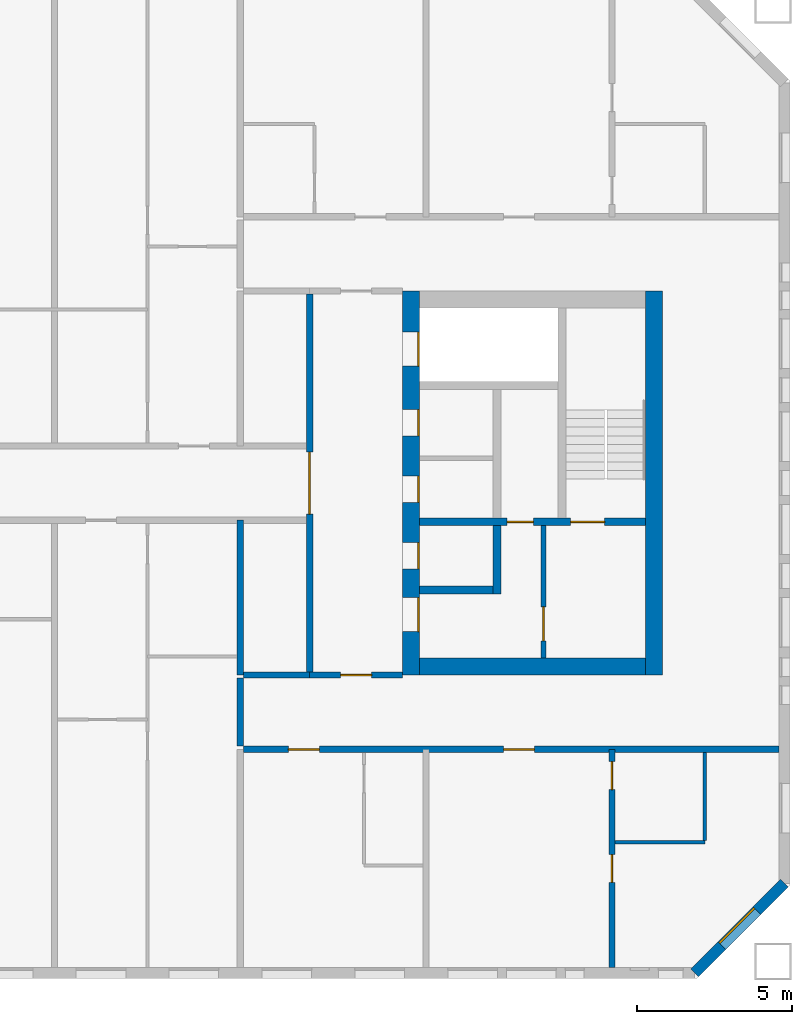
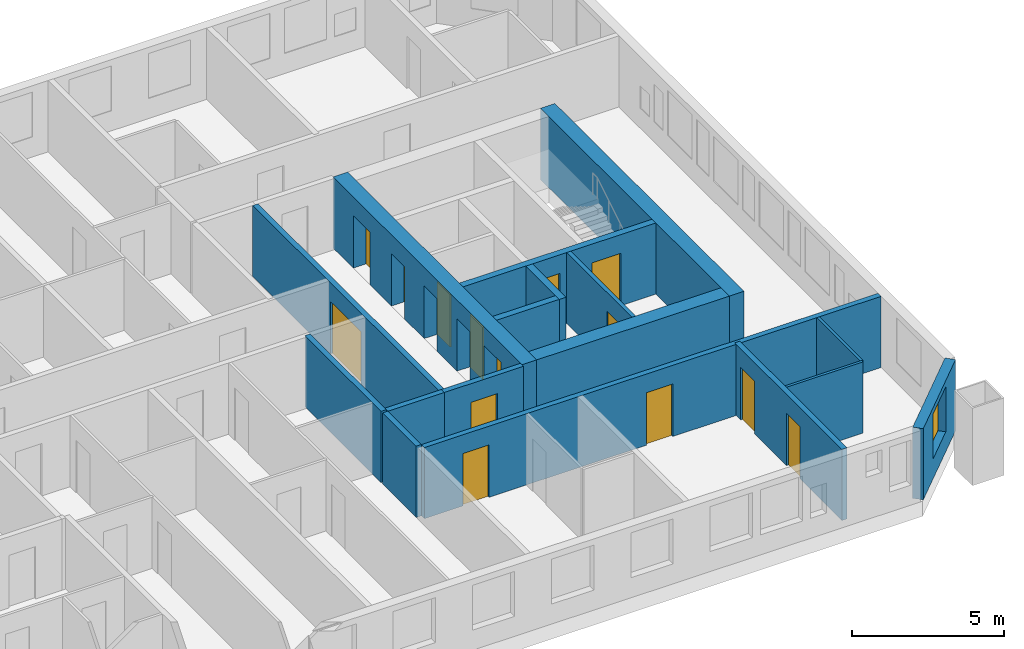
# One storey, part 13 of 17: 17 walls, 14 doors, 1 window, 15 openings.
"""IFC4 building model written with IfcOpenShell, lengths in metres."""

from ifc_helpers import new_model, si_unit, direction, frame, frame_2d, origin, place, context, subcontext, project, spatial, rectangle, extrude, material, layer, layer_set, type_object, element, fill, save


model = new_model("IFC4")

# Units and contexts
model_context = context("Model", 3, precision=1e-05, world=origin(), true_north=direction((0.0, 1.0)))
body_context = subcontext(model_context, "Body", "Model", "MODEL_VIEW")
ifc_project = project(units=[si_unit("LENGTHUNIT", "METRE"), si_unit("AREAUNIT", "SQUARE_METRE"), si_unit("VOLUMEUNIT", "CUBIC_METRE"), si_unit("PLANEANGLEUNIT", "RADIAN"), si_unit("MASSUNIT", "GRAM", prefix="KILO")], contexts=[model_context])

# Site, building, storey
site_placement = place(None, origin())
site = spatial("IfcSite", under=ifc_project, at=site_placement, CompositionType="ELEMENT")
building_placement = place(site_placement, origin())
building = spatial("IfcBuilding", under=site, at=building_placement, Name="Tuart Gate Housing", CompositionType="ELEMENT")
storey_placement = place(building_placement, frame((0.0, 0.0, 123.699951171875)))
storey = spatial("IfcBuildingStorey", under=building, at=storey_placement, Name="L34", CompositionType="ELEMENT", Elevation=123.699951171875)

# Wall, opening, window
ifc_material_1 = material(Name="Brick", Category="masonry")
ifc_layer_1 = layer(ifc_material_1, 0.360107421875)
ifc_layer_set_1 = layer_set([ifc_layer_1], Name="Brick pier and spandrel wall 360")
wall_type_1 = type_object("IfcWallType", Name="Brick pier and spandrel wall 360", PredefinedType="STANDARD", material=ifc_layer_set_1)
wall_1_placement = place(storey_placement, frame((169.67529296875, 54.179931640625, 0.0), z_axis=(0.0, 0.0, 1.0), x_axis=(0.707106781187, 0.707106781187, 0.0)))
wall_1 = element("IfcWall", 1, at=wall_1_placement, inside=storey, type_object=wall_type_1, Name="External wall B-SE L34", PredefinedType="STANDARD", context=body_context, shape_type="SweptSolid", body=[
    extrude(rectangle(XDim=4.09375, YDim=0.360107421875, at=frame_2d((2.046875, 0.0))), origin(), (0.0, 0.0, 1.0), 2.85009765625),
])
opening_1_placement = place(wall_1_placement, frame((1.2470703125, 0.0, 0.800048828125)))
opening_1 = element("IfcOpeningElement", 2, at=opening_1_placement, cuts=wall_1, Name="Opening W1", PredefinedType="OPENING", context=body_context, shape_type="SweptSolid", body=[
    extrude(rectangle(XDim=1.60009765625, YDim=1.800048828125, at=frame_2d((0.800048828125, 0.89990234375))), frame((0.0, 0.18994140625, 0.0), z_axis=(0.0, -1.0, 0.0), x_axis=(1.0, 0.0, 0.0)), (0.0, 0.0, 1.0), 0.380126953125),
])
ifc_material_2 = material(Name="Aluminium frame with clear glass", Category="aluminium")
window_type = type_object("IfcWindowType", Name="Punched window 1600 x 1800", PartitioningType="SINGLE_PANEL", PredefinedType="WINDOW", material=ifc_material_2)
window_placement = place(opening_1_placement, origin())
window = element("IfcWindow", 3, at=window_placement, inside=storey, type_object=window_type, Name="Window W1", OverallHeight=1.800048828125, OverallWidth=1.60009765625, PartitioningType="SINGLE_PANEL", PredefinedType="WINDOW", context=body_context, shape_type="SweptSolid", body=[
    extrude(rectangle(XDim=1.60009765625, YDim=1.800048828125, at=frame_2d((0.800048828125, 0.89990234375))), frame((0.0, 0.150146484375, 0.0), z_axis=(0.0, -1.0, 0.0), x_axis=(1.0, 0.0, 0.0)), (0.0, 0.0, 1.0), 0.06005859375),
])
fill(opening_1, window)

# Wall, opening, door
ifc_material_3 = material(Name="Plasterboard partition")
ifc_layer_2 = layer(ifc_material_3, 0.14990234375)
ifc_layer_set_2 = layer_set([ifc_layer_2], Name="Core partition 150")
wall_type_2 = type_object("IfcWallType", Name="Core partition 150", PredefinedType="PARTITIONING", material=ifc_layer_set_2)
wall_2_placement = place(storey_placement, frame((164.7900390625, 68.625, 0.0), z_axis=(0.0, 0.0, 1.0), x_axis=(0.0, -1.0, 0.0)))
wall_2 = element("IfcWall", 4, at=wall_2_placement, inside=storey, type_object=wall_type_2, Name="Core partition BK.7", PredefinedType="PARTITIONING", context=body_context, shape_type="SweptSolid", body=[
    extrude(rectangle(XDim=4.27490234375, YDim=0.14990234375, at=frame_2d((2.137451171875, 0.0))), origin(), (0.0, 0.0, 1.0), 2.85009765625),
])
opening_2_placement = place(wall_2_placement, frame((2.625, 0.0, 0.0)))
opening_2 = element("IfcOpeningElement", 5, at=opening_2_placement, cuts=wall_2, Name="Opening D1384", PredefinedType="OPENING", context=body_context, shape_type="SweptSolid", body=[
    extrude(rectangle(XDim=1.10009765625, YDim=2.10009765625, at=frame_2d((0.550048828125, 1.050048828125))), frame((0.0, 0.0849609375, 0.0), z_axis=(0.0, -1.0, 0.0), x_axis=(1.0, 0.0, 0.0)), (0.0, 0.0, 1.0), 0.169921875),
])
ifc_material_4 = material(Name="Steel fire door", Category="steel")
door_type_1 = type_object("IfcDoorType", Name="Lobby door 1100 x 2100 RH", OperationType="SINGLE_SWING_RIGHT", PredefinedType="DOOR", material=ifc_material_4)
door_1_placement = place(opening_2_placement, origin())
door_1 = element("IfcDoor", 6, at=door_1_placement, inside=storey, type_object=door_type_1, Name="Smoke lobby door BK.KD", OperationType="SINGLE_SWING_RIGHT", OverallHeight=2.10009765625, OverallWidth=1.10009765625, PredefinedType="DOOR", context=body_context, shape_type="SweptSolid", body=[
    extrude(rectangle(XDim=1.10009765625, YDim=2.10009765625, at=frame_2d((0.550048828125, 1.050048828125))), frame((0.0, 0.02490234375, 0.0), z_axis=(0.0, -1.0, 0.0), x_axis=(1.0, 0.0, 0.0)), (0.0, 0.0, 1.0), 0.050048828125),
])
fill(opening_2, door_1)

# Wall, openings, doors
ifc_material_5 = material(Name="Concrete C50", Category="concrete")
ifc_layer_3 = layer(ifc_material_5, 0.25)
ifc_layer_set_3 = layer_set([ifc_layer_3], Name="Core wall 250 C50")
wall_type_3 = type_object("IfcWallType", Name="Core wall 250 C50", PredefinedType="SHEAR", material=ifc_layer_set_3)
wall_3_placement = place(storey_placement, frame((160.7900390625, 68.75, 0.0), z_axis=(0.0, 0.0, 1.0), x_axis=(1.0, 0.0, 0.0)))
wall_3 = element("IfcWall", 7, at=wall_3_placement, inside=storey, type_object=wall_type_3, Name="Core wall BK.3", PredefinedType="SHEAR", context=body_context, shape_type="SweptSolid", body=[
    extrude(rectangle(XDim=7.300048828125, YDim=0.25, at=frame_2d((3.64990234375, 0.0))), origin(), (0.0, 0.0, 1.0), 2.85009765625),
])
opening_3_placement = place(wall_3_placement, frame((4.875, 0.0, 0.0)))
opening_3 = element("IfcOpeningElement", 8, at=opening_3_placement, cuts=wall_3, Name="Opening D1383", PredefinedType="OPENING", context=body_context, shape_type="SweptSolid", body=[
    extrude(rectangle(XDim=1.10009765625, YDim=2.10009765625, at=frame_2d((0.550048828125, 1.050048828125))), frame((0.0, 0.135009765625, 0.0), z_axis=(0.0, -1.0, 0.0), x_axis=(1.0, 0.0, 0.0)), (0.0, 0.0, 1.0), 0.27001953125),
])
opening_4_placement = place(wall_3_placement, frame((2.824951171875, 0.0, 0.0)))
opening_4 = element("IfcOpeningElement", 9, at=opening_4_placement, cuts=wall_3, Name="Opening D1382", PredefinedType="OPENING", context=body_context, shape_type="SweptSolid", body=[
    extrude(rectangle(XDim=0.85009765625, YDim=2.10009765625, at=frame_2d((0.425048828125, 1.050048828125))), frame((0.0, 0.135009765625, 0.0), z_axis=(0.0, -1.0, 0.0), x_axis=(1.0, 0.0, 0.0)), (0.0, 0.0, 1.0), 0.27001953125),
])
ifc_material_6 = material(Name="Steel fire door", Category="steel")
door_type_2 = type_object("IfcDoorType", Name="Riser door 850 x 2100", OperationType="SINGLE_SWING_LEFT", PredefinedType="DOOR", material=ifc_material_6)
door_2_placement = place(opening_4_placement, origin())
door_2 = element("IfcDoor", 10, at=door_2_placement, inside=storey, type_object=door_type_2, Name="Service room door BK.W1", OperationType="SINGLE_SWING_LEFT", OverallHeight=2.10009765625, OverallWidth=0.85009765625, PredefinedType="DOOR", context=body_context, shape_type="SweptSolid", body=[
    extrude(rectangle(XDim=0.85009765625, YDim=2.10009765625, at=frame_2d((0.425048828125, 1.050048828125))), frame((0.0, 0.02490234375, 0.0), z_axis=(0.0, -1.0, 0.0), x_axis=(1.0, 0.0, 0.0)), (0.0, 0.0, 1.0), 0.050048828125),
])
fill(opening_4, door_2)
ifc_material_7 = material(Name="Steel fire door", Category="steel")
door_type_3 = type_object("IfcDoorType", Name="Stair door 1100 x 2100", OperationType="SINGLE_SWING_LEFT", PredefinedType="DOOR", material=ifc_material_7)
door_3_placement = place(opening_3_placement, origin())
door_3 = element("IfcDoor", 11, at=door_3_placement, inside=storey, type_object=door_type_3, Name="Stair door BK.SD", OperationType="SINGLE_SWING_LEFT", OverallHeight=2.10009765625, OverallWidth=1.10009765625, PredefinedType="DOOR", context=body_context, shape_type="SweptSolid", body=[
    extrude(rectangle(XDim=1.10009765625, YDim=2.10009765625, at=frame_2d((0.550048828125, 1.050048828125))), frame((0.0, 0.02490234375, 0.0), z_axis=(0.0, -1.0, 0.0), x_axis=(1.0, 0.0, 0.0)), (0.0, 0.0, 1.0), 0.050048828125),
])
fill(opening_3, door_3)

# Walls
wall_4_placement = place(storey_placement, frame((160.7900390625, 66.550048828125, 0.0), z_axis=(0.0, 0.0, 1.0), x_axis=(1.0, 0.0, 0.0)))
element("IfcWall", 12, at=wall_4_placement, inside=storey, type_object=wall_type_3, Name="Core wall BK.4", PredefinedType="SHEAR", context=body_context, shape_type="SweptSolid", body=[
    extrude(rectangle(XDim=2.375, YDim=0.25, at=frame_2d((1.1875, 0.0))), origin(), (0.0, 0.0, 1.0), 2.85009765625),
])
wall_5_placement = place(storey_placement, frame((163.2900390625, 68.625, 0.0), z_axis=(0.0, 0.0, 1.0), x_axis=(0.0, -1.0, 0.0)))
element("IfcWall", 13, at=wall_5_placement, inside=storey, type_object=wall_type_3, Name="Core wall BK.6", PredefinedType="SHEAR", context=body_context, shape_type="SweptSolid", body=[
    extrude(rectangle(XDim=2.199951171875, YDim=0.25, at=frame_2d((1.10009765625, 0.0))), origin(), (0.0, 0.0, 1.0), 2.85009765625),
])

# Wall, openings, doors
ifc_material_8 = material(Name="Concrete C50", Category="concrete")
ifc_layer_4 = layer(ifc_material_8, 0.550048828125)
ifc_layer_set_4 = layer_set([ifc_layer_4], Name="Core wall 550 C50")
wall_type_4 = type_object("IfcWallType", Name="Core wall 550 C50", PredefinedType="SHEAR", material=ifc_layer_set_4)
wall_6_placement = place(storey_placement, frame((160.514892578125, 76.199951171875, 0.0), z_axis=(0.0, 0.0, 1.0), x_axis=(0.0, -1.0, 0.0)))
wall_6 = element("IfcWall", 14, at=wall_6_placement, inside=storey, type_object=wall_type_4, Name="Core wall BK front", PredefinedType="SHEAR", context=body_context, shape_type="SweptSolid", body=[
    extrude(rectangle(XDim=12.39990234375, YDim=0.550048828125, at=frame_2d((6.199951171875, 0.0))), origin(), (0.0, 0.0, 1.0), 2.85009765625),
])
opening_5_placement = place(wall_6_placement, frame((1.324951171875, 0.0, 0.0)))
opening_5 = element("IfcOpeningElement", 15, at=opening_5_placement, cuts=wall_6, Name="Opening LD-FB2", PredefinedType="OPENING", context=body_context, shape_type="SweptSolid", body=[
    extrude(rectangle(XDim=1.10009765625, YDim=2.10009765625, at=frame_2d((0.550048828125, 1.050048828125))), frame((0.0, 0.284912109375, 0.0), z_axis=(0.0, -1.0, 0.0), x_axis=(1.0, 0.0, 0.0)), (0.0, 0.0, 1.0), 0.570068359375),
])
opening_6_placement = place(wall_6_placement, frame((3.824951171875, 0.0, 0.0)))
opening_6 = element("IfcOpeningElement", 16, at=opening_6_placement, cuts=wall_6, Name="Opening D1377", PredefinedType="OPENING", context=body_context, shape_type="SweptSolid", body=[
    extrude(rectangle(XDim=0.85009765625, YDim=2.10009765625, at=frame_2d((0.425048828125, 1.050048828125))), frame((0.0, 0.284912109375, 0.0), z_axis=(0.0, -1.0, 0.0), x_axis=(1.0, 0.0, 0.0)), (0.0, 0.0, 1.0), 0.570068359375),
])
opening_7_placement = place(wall_6_placement, frame((5.97509765625, 0.0, 0.0)))
opening_7 = element("IfcOpeningElement", 17, at=opening_7_placement, cuts=wall_6, Name="Opening D1378", PredefinedType="OPENING", context=body_context, shape_type="SweptSolid", body=[
    extrude(rectangle(XDim=0.85009765625, YDim=2.10009765625, at=frame_2d((0.425048828125, 1.050048828125))), frame((0.0, 0.284912109375, 0.0), z_axis=(0.0, -1.0, 0.0), x_axis=(1.0, 0.0, 0.0)), (0.0, 0.0, 1.0), 0.570068359375),
])
opening_8_placement = place(wall_6_placement, frame((9.89990234375, 0.0, 0.0)))
opening_8 = element("IfcOpeningElement", 18, at=opening_8_placement, cuts=wall_6, Name="Opening D1376", PredefinedType="OPENING", context=body_context, shape_type="SweptSolid", body=[
    extrude(rectangle(XDim=1.10009765625, YDim=2.10009765625, at=frame_2d((0.550048828125, 1.050048828125))), frame((0.0, 0.284912109375, 0.0), z_axis=(0.0, -1.0, 0.0), x_axis=(1.0, 0.0, 0.0)), (0.0, 0.0, 1.0), 0.570068359375),
])
opening_9_placement = place(wall_6_placement, frame((8.125, 0.0, 0.0)))
opening_9 = element("IfcOpeningElement", 19, at=opening_9_placement, cuts=wall_6, Name="Opening D1379", PredefinedType="OPENING", context=body_context, shape_type="SweptSolid", body=[
    extrude(rectangle(XDim=0.85009765625, YDim=2.10009765625, at=frame_2d((0.425048828125, 1.050048828125))), frame((0.0, 0.284912109375, 0.0), z_axis=(0.0, -1.0, 0.0), x_axis=(1.0, 0.0, 0.0)), (0.0, 0.0, 1.0), 0.570068359375),
])
ifc_material_9 = material(Name="Stainless steel", Category="steel")
door_type_4 = type_object("IfcDoorType", Name="Landing door 1100 x 2100", OperationType="DOUBLE_DOOR_SLIDING", PredefinedType="DOOR", material=ifc_material_9)
door_4_placement = place(opening_5_placement, origin())
door_4 = element("IfcDoor", 20, at=door_4_placement, inside=storey, type_object=door_type_4, Name="Lift landing door FB2", OperationType="DOUBLE_DOOR_SLIDING", OverallHeight=2.10009765625, OverallWidth=1.10009765625, PredefinedType="DOOR", context=body_context, shape_type="SweptSolid", body=[
    extrude(rectangle(XDim=1.10009765625, YDim=2.10009765625, at=frame_2d((0.550048828125, 1.050048828125))), frame((0.0, 0.26025390625, 0.0), z_axis=(0.0, -1.0, 0.0), x_axis=(1.0, 0.0, 0.0)), (0.0, 0.0, 1.0), 0.050048828125),
])
fill(opening_5, door_4)
ifc_material_10 = material(Name="Steel fire door", Category="steel")
door_type_5 = type_object("IfcDoorType", Name="Lobby door 1100 x 2100", OperationType="SINGLE_SWING_LEFT", PredefinedType="DOOR", material=ifc_material_10)
door_5_placement = place(opening_8_placement, origin())
door_5 = element("IfcDoor", 21, at=door_5_placement, inside=storey, type_object=door_type_5, Name="Lobby entry door BK.EN", OperationType="SINGLE_SWING_LEFT", OverallHeight=2.10009765625, OverallWidth=1.10009765625, PredefinedType="DOOR", context=body_context, shape_type="SweptSolid", body=[
    extrude(rectangle(XDim=1.10009765625, YDim=2.10009765625, at=frame_2d((0.550048828125, 1.050048828125))), frame((0.0, 0.26025390625, 0.0), z_axis=(0.0, -1.0, 0.0), x_axis=(1.0, 0.0, 0.0)), (0.0, 0.0, 1.0), 0.050048828125),
])
fill(opening_8, door_5)
ifc_material_11 = material(Name="Steel fire door", Category="steel")
door_type_6 = type_object("IfcDoorType", Name="Service door 850 x 2100", OperationType="SINGLE_SWING_LEFT", PredefinedType="DOOR", material=ifc_material_11)
door_6_placement = place(opening_6_placement, origin())
door_6 = element("IfcDoor", 22, at=door_6_placement, inside=storey, type_object=door_type_6, Name="Service room door BK.FR1", OperationType="SINGLE_SWING_LEFT", OverallHeight=2.10009765625, OverallWidth=0.85009765625, PredefinedType="DOOR", context=body_context, shape_type="SweptSolid", body=[
    extrude(rectangle(XDim=0.85009765625, YDim=2.10009765625, at=frame_2d((0.425048828125, 1.050048828125))), frame((0.0, 0.26025390625, 0.0), z_axis=(0.0, -1.0, 0.0), x_axis=(1.0, 0.0, 0.0)), (0.0, 0.0, 1.0), 0.050048828125),
])
fill(opening_6, door_6)
door_7_placement = place(opening_7_placement, origin())
door_7 = element("IfcDoor", 23, at=door_7_placement, inside=storey, type_object=door_type_6, Name="Service room door BK.FR2", OperationType="SINGLE_SWING_LEFT", OverallHeight=2.10009765625, OverallWidth=0.85009765625, PredefinedType="DOOR", context=body_context, shape_type="SweptSolid", body=[
    extrude(rectangle(XDim=0.85009765625, YDim=2.10009765625, at=frame_2d((0.425048828125, 1.050048828125))), frame((0.0, 0.26025390625, 0.0), z_axis=(0.0, -1.0, 0.0), x_axis=(1.0, 0.0, 0.0)), (0.0, 0.0, 1.0), 0.050048828125),
])
fill(opening_7, door_7)
door_8_placement = place(opening_9_placement, origin())
door_8 = element("IfcDoor", 24, at=door_8_placement, inside=storey, type_object=door_type_6, Name="Service room door BK.T1", OperationType="SINGLE_SWING_LEFT", OverallHeight=2.10009765625, OverallWidth=0.85009765625, PredefinedType="DOOR", context=body_context, shape_type="SweptSolid", body=[
    extrude(rectangle(XDim=0.85009765625, YDim=2.10009765625, at=frame_2d((0.425048828125, 1.050048828125))), frame((0.0, 0.26025390625, 0.0), z_axis=(0.0, -1.0, 0.0), x_axis=(1.0, 0.0, 0.0)), (0.0, 0.0, 1.0), 0.050048828125),
])
fill(opening_9, door_8)

# Walls
wall_7_placement = place(storey_placement, frame((168.364990234375, 76.199951171875, 0.0), z_axis=(0.0, 0.0, 1.0), x_axis=(0.0, -1.0, 0.0)))
element("IfcWall", 25, at=wall_7_placement, inside=storey, type_object=wall_type_4, Name="Core wall BK back", PredefinedType="SHEAR", context=body_context, shape_type="SweptSolid", body=[
    extrude(rectangle(XDim=12.39990234375, YDim=0.550048828125, at=frame_2d((6.199951171875, 0.0))), origin(), (0.0, 0.0, 1.0), 2.85009765625),
])
wall_8_placement = place(storey_placement, frame((160.7900390625, 64.074951171875, 0.0), z_axis=(0.0, 0.0, 1.0), x_axis=(1.0, 0.0, 0.0)))
element("IfcWall", 26, at=wall_8_placement, inside=storey, type_object=wall_type_4, Name="Core wall BK north", PredefinedType="SHEAR", context=body_context, shape_type="SweptSolid", body=[
    extrude(rectangle(XDim=7.300048828125, YDim=0.550048828125, at=frame_2d((3.64990234375, 0.0))), origin(), (0.0, 0.0, 1.0), 2.85009765625),
])

# Wall, openings, doors
ifc_material_12 = material(Name="Concrete masonry 15 MPa", Category="masonry")
ifc_layer_5 = layer(ifc_material_12, 0.199951171875)
ifc_layer_set_5 = layer_set([ifc_layer_5], Name="Corridor wall masonry 200")
wall_type_5 = type_object("IfcWallType", Name="Corridor wall masonry 200", PredefinedType="PARTITIONING", material=ifc_layer_set_5)
wall_9_placement = place(storey_placement, frame((155.10009765625, 61.39990234375, 0.0), z_axis=(0.0, 0.0, 1.0), x_axis=(1.0, 0.0, 0.0)))
wall_9 = element("IfcWall", 27, at=wall_9_placement, inside=storey, type_object=wall_type_5, Name="Corridor wall masonry 200", PredefinedType="PARTITIONING", context=body_context, shape_type="SweptSolid", body=[
    extrude(rectangle(XDim=17.289794921875, YDim=0.199951171875, at=frame_2d((8.64501953125, 0.0))), origin(), (0.0, 0.0, 1.0), 2.85009765625),
])
opening_10_placement = place(wall_9_placement, frame((1.449951171875, 0.0, 0.0)))
opening_10 = element("IfcOpeningElement", 28, at=opening_10_placement, cuts=wall_9, Name="Opening D1393", PredefinedType="OPENING", context=body_context, shape_type="SweptSolid", body=[
    extrude(rectangle(XDim=1.0, YDim=2.10009765625, at=frame_2d((0.5, 1.050048828125))), frame((0.0, 0.10986328125, 0.0), z_axis=(0.0, -1.0, 0.0), x_axis=(1.0, 0.0, 0.0)), (0.0, 0.0, 1.0), 0.219970703125),
])
opening_11_placement = place(wall_9_placement, frame((8.39990234375, 0.0, 0.0)))
opening_11 = element("IfcOpeningElement", 29, at=opening_11_placement, cuts=wall_9, Name="Opening D1394", PredefinedType="OPENING", context=body_context, shape_type="SweptSolid", body=[
    extrude(rectangle(XDim=1.0, YDim=2.10009765625, at=frame_2d((0.5, 1.050048828125))), frame((0.0, 0.10986328125, 0.0), z_axis=(0.0, -1.0, 0.0), x_axis=(1.0, 0.0, 0.0)), (0.0, 0.0, 1.0), 0.219970703125),
])
ifc_material_13 = material(Name="Timber door leaf in steel frame", Category="steel")
door_type_7 = type_object("IfcDoorType", Name="Flat entrance door 1000", OperationType="SINGLE_SWING_LEFT", PredefinedType="DOOR", material=ifc_material_13)
door_9_placement = place(opening_10_placement, frame((1.0, 0.0, 0.0), z_axis=(0.0, 0.0, 1.0), x_axis=(-1.0, 0.0, 0.0)))
door_9 = element("IfcDoor", 30, at=door_9_placement, inside=storey, type_object=door_type_7, Name="Flat entrance door", OperationType="SINGLE_SWING_LEFT", OverallHeight=2.10009765625, OverallWidth=1.0, PredefinedType="DOOR", context=body_context, shape_type="SweptSolid", body=[
    extrude(rectangle(XDim=1.0, YDim=2.10009765625, at=frame_2d((0.5, 1.050048828125))), frame((0.0, 0.025146484375, 0.0), z_axis=(0.0, -1.0, 0.0), x_axis=(1.0, 0.0, 0.0)), (0.0, 0.0, 1.0), 0.050048828125),
])
fill(opening_10, door_9)
ifc_material_14 = material(Name="Timber door leaf in steel frame", Category="steel")
door_type_8 = type_object("IfcDoorType", Name="Flat entrance door 1000 RH", OperationType="SINGLE_SWING_RIGHT", PredefinedType="DOOR", material=ifc_material_14)
door_10_placement = place(opening_11_placement, frame((1.0, 0.0, 0.0), z_axis=(0.0, 0.0, 1.0), x_axis=(-1.0, 0.0, 0.0)))
door_10 = element("IfcDoor", 31, at=door_10_placement, inside=storey, type_object=door_type_8, Name="Flat entrance door", OperationType="SINGLE_SWING_RIGHT", OverallHeight=2.10009765625, OverallWidth=1.0, PredefinedType="DOOR", context=body_context, shape_type="SweptSolid", body=[
    extrude(rectangle(XDim=1.0, YDim=2.10009765625, at=frame_2d((0.5, 1.050048828125))), frame((0.0, 0.025146484375, 0.0), z_axis=(0.0, -1.0, 0.0), x_axis=(1.0, 0.0, 0.0)), (0.0, 0.0, 1.0), 0.050048828125),
])
fill(opening_11, door_10)

# Walls
wall_10_placement = place(storey_placement, frame((155.10009765625, 63.800048828125, 0.0), z_axis=(0.0, 0.0, 1.0), x_axis=(1.0, 0.0, 0.0)))
element("IfcWall", 32, at=wall_10_placement, inside=storey, type_object=wall_type_5, Name="Corridor wall masonry 200", PredefinedType="PARTITIONING", context=body_context, shape_type="SweptSolid", body=[
    extrude(rectangle(XDim=2.139892578125, YDim=0.199951171875, at=frame_2d((1.06982421875, 0.0))), origin(), (0.0, 0.0, 1.0), 2.85009765625),
])
wall_11_placement = place(storey_placement, frame((155.0, 61.5, 0.0), z_axis=(0.0, 0.0, 1.0), x_axis=(0.0, 1.0, 0.0)))
element("IfcWall", 33, at=wall_11_placement, inside=storey, type_object=wall_type_5, Name="Corridor wall masonry 200", PredefinedType="PARTITIONING", context=body_context, shape_type="SweptSolid", body=[
    extrude(rectangle(XDim=2.199951171875, YDim=0.199951171875, at=frame_2d((1.10009765625, 0.0))), origin(), (0.0, 0.0, 1.0), 2.85009765625),
])

# Wall, opening, door
ifc_material_15 = material(Name="Concrete masonry 15 MPa", Category="masonry")
ifc_layer_6 = layer(ifc_material_15, 0.199951171875)
ifc_layer_set_6 = layer_set([ifc_layer_6], Name="Enclosure wall masonry 200")
wall_type_6 = type_object("IfcWallType", Name="Enclosure wall masonry 200", PredefinedType="PARTITIONING", material=ifc_layer_set_6)
wall_12_placement = place(storey_placement, frame((157.239990234375, 63.800048828125, 0.0), z_axis=(0.0, 0.0, 1.0), x_axis=(1.0, 0.0, 0.0)))
wall_12 = element("IfcWall", 34, at=wall_12_placement, inside=storey, type_object=wall_type_6, Name="Enclosure wall masonry 200", PredefinedType="PARTITIONING", context=body_context, shape_type="SweptSolid", body=[
    extrude(rectangle(XDim=3.0, YDim=0.199951171875, at=frame_2d((1.5, 0.0))), origin(), (0.0, 0.0, 1.0), 2.85009765625),
])
opening_12_placement = place(wall_12_placement, frame((1.0, 0.0, 0.0)))
opening_12 = element("IfcOpeningElement", 35, at=opening_12_placement, cuts=wall_12, Name="Opening D1386", PredefinedType="OPENING", context=body_context, shape_type="SweptSolid", body=[
    extrude(rectangle(XDim=1.0, YDim=2.10009765625, at=frame_2d((0.5, 1.050048828125))), frame((0.0, 0.10986328125, 0.0), z_axis=(0.0, -1.0, 0.0), x_axis=(1.0, 0.0, 0.0)), (0.0, 0.0, 1.0), 0.219970703125),
])
ifc_material_16 = material(Name="Timber door leaf in steel frame", Category="steel")
door_type_9 = type_object("IfcDoorType", Name="Fire door 1000 RH", OperationType="SINGLE_SWING_RIGHT", PredefinedType="DOOR", material=ifc_material_16)
door_11_placement = place(opening_12_placement, frame((1.0, 0.0, 0.0), z_axis=(0.0, 0.0, 1.0), x_axis=(-1.0, 0.0, 0.0)))
door_11 = element("IfcDoor", 36, at=door_11_placement, inside=storey, type_object=door_type_9, Name="Fire door", OperationType="SINGLE_SWING_RIGHT", OverallHeight=2.10009765625, OverallWidth=1.0, PredefinedType="DOOR", context=body_context, shape_type="SweptSolid", body=[
    extrude(rectangle(XDim=1.0, YDim=2.10009765625, at=frame_2d((0.5, 1.050048828125))), frame((0.0, 0.025146484375, 0.0), z_axis=(0.0, -1.0, 0.0), x_axis=(1.0, 0.0, 0.0)), (0.0, 0.0, 1.0), 0.050048828125),
])
fill(opening_12, door_11)

ifc_material_17 = material(Name="Plasterboard partition")
ifc_layer_7 = layer(ifc_material_17, 0.199951171875)
ifc_layer_set_7 = layer_set([ifc_layer_7], Name="Lobby wall 200")
wall_type_7 = type_object("IfcWallType", Name="Lobby wall 200", PredefinedType="PARTITIONING", material=ifc_layer_set_7)
wall_13_placement = place(storey_placement, frame((157.239990234375, 63.89990234375, 0.0), z_axis=(0.0, 0.0, 1.0), x_axis=(0.0, 1.0, 0.0)))
wall_13 = element("IfcWall", 37, at=wall_13_placement, inside=storey, type_object=wall_type_7, Name="Lift lobby wall BK", PredefinedType="PARTITIONING", context=body_context, shape_type="SweptSolid", body=[
    extrude(rectangle(XDim=12.2001953125, YDim=0.199951171875, at=frame_2d((6.10009765625, 0.0))), origin(), (0.0, 0.0, 1.0), 2.85009765625),
])
opening_13_placement = place(wall_13_placement, frame((5.10009765625, 0.0, 0.0)))
opening_13 = element("IfcOpeningElement", 38, at=opening_13_placement, cuts=wall_13, Name="Opening D1375", PredefinedType="OPENING", context=body_context, shape_type="SweptSolid", body=[
    extrude(rectangle(XDim=2.0, YDim=2.10009765625, at=frame_2d((1.0, 1.050048828125))), frame((0.0, 0.10986328125, 0.0), z_axis=(0.0, -1.0, 0.0), x_axis=(1.0, 0.0, 0.0)), (0.0, 0.0, 1.0), 0.219970703125),
])
ifc_material_18 = material(Name="Steel fire door", Category="steel")
door_type_10 = type_object("IfcDoorType", Name="Smoke door 2000 x 2100", OperationType="DOUBLE_DOOR_SINGLE_SWING", PredefinedType="DOOR", material=ifc_material_18)
door_12_placement = place(opening_13_placement, frame((2.0, 0.0, 0.0), z_axis=(0.0, 0.0, 1.0), x_axis=(-1.0, 0.0, 0.0)))
door_12 = element("IfcDoor", 39, at=door_12_placement, inside=storey, type_object=door_type_10, Name="Lift lobby smoke door BK", OperationType="DOUBLE_DOOR_SINGLE_SWING", OverallHeight=2.10009765625, OverallWidth=2.0, PredefinedType="DOOR", context=body_context, shape_type="SweptSolid", body=[
    extrude(rectangle(XDim=2.0, YDim=2.10009765625, at=frame_2d((1.0, 1.050048828125))), frame((0.0, 0.025146484375, 0.0), z_axis=(0.0, -1.0, 0.0), x_axis=(1.0, 0.0, 0.0)), (0.0, 0.0, 1.0), 0.050048828125),
])
fill(opening_13, door_12)

# Walls
ifc_material_19 = material(Name="Gypsum board on steel studs", Category="steel")
ifc_layer_8 = layer(ifc_material_19, 0.10009765625)
ifc_layer_set_8 = layer_set([ifc_layer_8], Name="Partition 100")
wall_type_8 = type_object("IfcWallType", Name="Partition 100", PredefinedType="PARTITIONING", material=ifc_layer_set_8)
wall_14_placement = place(storey_placement, frame((167.10009765625, 58.39990234375, 0.0), z_axis=(0.0, 0.0, 1.0), x_axis=(1.0, 0.0, 0.0)))
element("IfcWall", 40, at=wall_14_placement, inside=storey, type_object=wall_type_8, Name="Partition 100", PredefinedType="PARTITIONING", context=body_context, shape_type="SweptSolid", body=[
    extrude(rectangle(XDim=2.89990234375, YDim=0.10009765625, at=frame_2d((1.449951171875, 0.0))), origin(), (0.0, 0.0, 1.0), 2.85009765625),
])
wall_15_placement = place(storey_placement, frame((170.0, 58.449951171875, 0.0), z_axis=(0.0, 0.0, 1.0), x_axis=(0.0, 1.0, 0.0)))
element("IfcWall", 41, at=wall_15_placement, inside=storey, type_object=wall_type_8, Name="Partition 100", PredefinedType="PARTITIONING", context=body_context, shape_type="SweptSolid", body=[
    extrude(rectangle(XDim=2.85009765625, YDim=0.10009765625, at=frame_2d((1.425048828125, 0.0))), origin(), (0.0, 0.0, 1.0), 2.85009765625),
])
ifc_material_20 = material(Name="Concrete C40", Category="concrete")
ifc_layer_9 = layer(ifc_material_20, 0.199951171875)
ifc_layer_set_9 = layer_set([ifc_layer_9], Name="Party wall concrete C40 200")
wall_type_9 = type_object("IfcWallType", Name="Party wall concrete C40 200", PredefinedType="SOLIDWALL", material=ifc_layer_set_9)
wall_16_placement = place(storey_placement, frame((155.0, 63.800048828125, 0.0), z_axis=(0.0, 0.0, 1.0), x_axis=(0.0, 1.0, 0.0)))
element("IfcWall", 42, at=wall_16_placement, inside=storey, type_object=wall_type_9, Name="Party wall concrete C40 200", PredefinedType="SOLIDWALL", context=body_context, shape_type="SweptSolid", body=[
    extrude(rectangle(XDim=5.0, YDim=0.199951171875, at=frame_2d((2.5, 0.0))), origin(), (0.0, 0.0, 1.0), 2.85009765625),
])

# Wall, openings, doors
wall_17_placement = place(storey_placement, frame((167.0, 54.360107421875, 0.0), z_axis=(0.0, 0.0, 1.0), x_axis=(0.0, 1.0, 0.0)))
wall_17 = element("IfcWall", 43, at=wall_17_placement, inside=storey, type_object=wall_type_9, Name="Party wall concrete C40 200", PredefinedType="SOLIDWALL", context=body_context, shape_type="SweptSolid", body=[
    extrude(rectangle(XDim=7.039794921875, YDim=0.199951171875, at=frame_2d((3.52001953125, 0.0))), origin(), (0.0, 0.0, 1.0), 2.85009765625),
])
opening_14_placement = place(wall_17_placement, frame((2.739990234375, 0.0, 0.0)))
opening_14 = element("IfcOpeningElement", 44, at=opening_14_placement, cuts=wall_17, Name="Opening D1401", PredefinedType="OPENING", context=body_context, shape_type="SweptSolid", body=[
    extrude(rectangle(XDim=0.89990234375, YDim=2.10009765625, at=frame_2d((0.449951171875, 1.050048828125))), frame((0.0, 0.10986328125, 0.0), z_axis=(0.0, -1.0, 0.0), x_axis=(1.0, 0.0, 0.0)), (0.0, 0.0, 1.0), 0.219970703125),
])
opening_15_placement = place(wall_17_placement, frame((5.739990234375, 0.0, 0.0)))
opening_15 = element("IfcOpeningElement", 45, at=opening_15_placement, cuts=wall_17, Name="Opening D1400", PredefinedType="OPENING", context=body_context, shape_type="SweptSolid", body=[
    extrude(rectangle(XDim=0.89990234375, YDim=2.10009765625, at=frame_2d((0.449951171875, 1.050048828125))), frame((0.0, 0.10986328125, 0.0), z_axis=(0.0, -1.0, 0.0), x_axis=(1.0, 0.0, 0.0)), (0.0, 0.0, 1.0), 0.219970703125),
])
ifc_material_21 = material(Name="Timber door leaf in steel frame", Category="steel")
door_type_11 = type_object("IfcDoorType", Name="Bathroom door 900", OperationType="SINGLE_SWING_LEFT", PredefinedType="DOOR", material=ifc_material_21)
door_13_placement = place(opening_15_placement, frame((0.89990234375, 0.0, 0.0), z_axis=(0.0, 0.0, 1.0), x_axis=(-1.0, 0.0, 0.0)))
door_13 = element("IfcDoor", 46, at=door_13_placement, inside=storey, type_object=door_type_11, Name="Bathroom door", OperationType="SINGLE_SWING_LEFT", OverallHeight=2.10009765625, OverallWidth=0.89990234375, PredefinedType="DOOR", context=body_context, shape_type="SweptSolid", body=[
    extrude(rectangle(XDim=0.89990234375, YDim=2.10009765625, at=frame_2d((0.449951171875, 1.050048828125))), frame((0.0, 0.025146484375, 0.0), z_axis=(0.0, -1.0, 0.0), x_axis=(1.0, 0.0, 0.0)), (0.0, 0.0, 1.0), 0.050048828125),
])
fill(opening_15, door_13)
ifc_material_22 = material(Name="Timber door leaf in steel frame", Category="steel")
door_type_12 = type_object("IfcDoorType", Name="Internal door 900", OperationType="SINGLE_SWING_LEFT", PredefinedType="DOOR", material=ifc_material_22)
door_14_placement = place(opening_14_placement, frame((0.89990234375, 0.0, 0.0), z_axis=(0.0, 0.0, 1.0), x_axis=(-1.0, 0.0, 0.0)))
door_14 = element("IfcDoor", 47, at=door_14_placement, inside=storey, type_object=door_type_12, Name="Internal door", OperationType="SINGLE_SWING_LEFT", OverallHeight=2.10009765625, OverallWidth=0.89990234375, PredefinedType="DOOR", context=body_context, shape_type="SweptSolid", body=[
    extrude(rectangle(XDim=0.89990234375, YDim=2.10009765625, at=frame_2d((0.449951171875, 1.050048828125))), frame((0.0, 0.025146484375, 0.0), z_axis=(0.0, -1.0, 0.0), x_axis=(1.0, 0.0, 0.0)), (0.0, 0.0, 1.0), 0.050048828125),
])
fill(opening_14, door_14)

save(model, "model.ifc")
